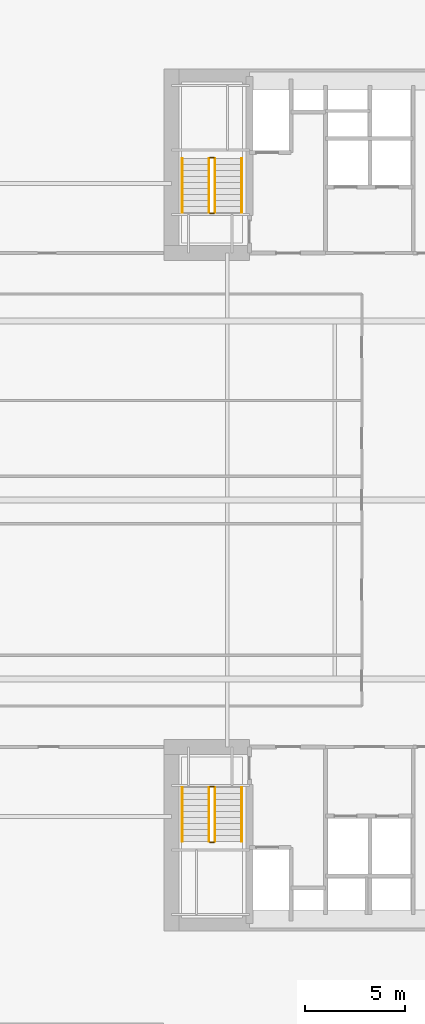
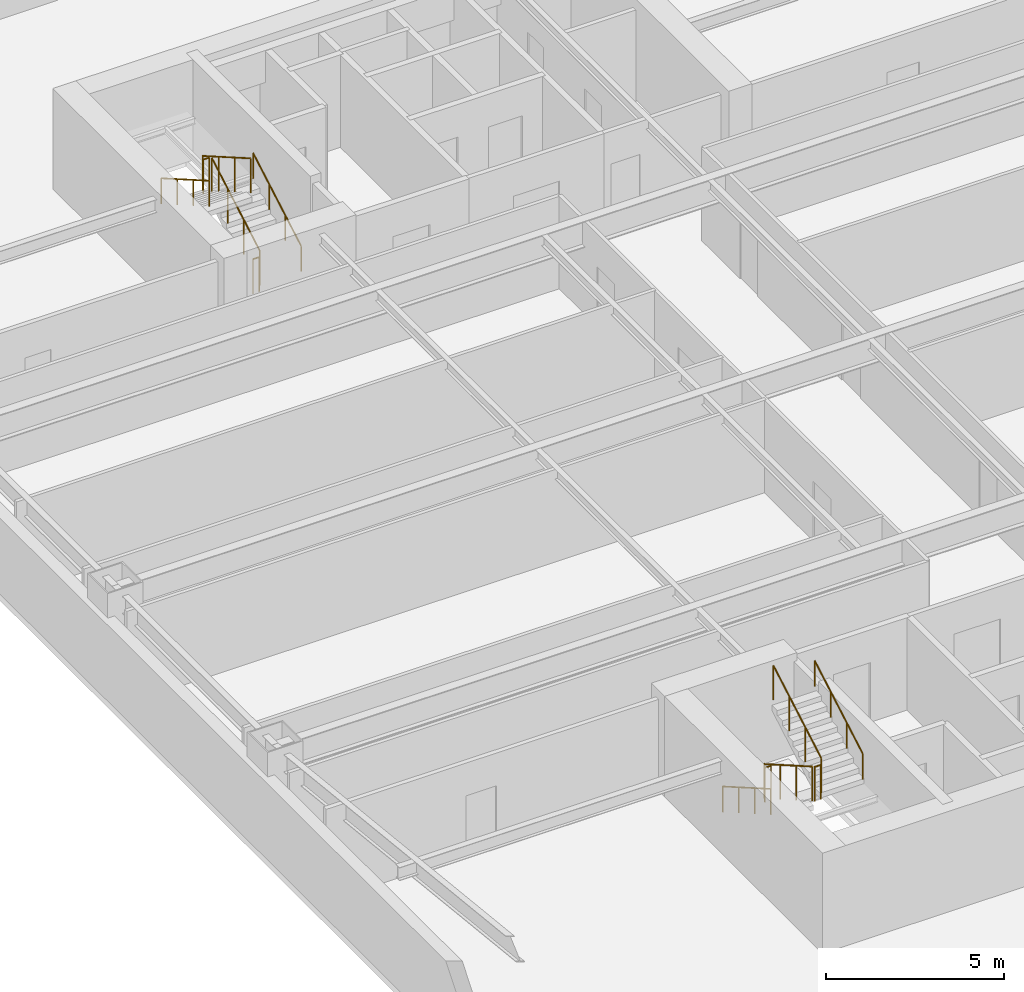
# One storey, part 12 of 13: 12 railings.
"""IFC4 building model written with IfcOpenShell, lengths in metres."""

from ifc_helpers import new_model, si_unit, direction, frame, origin, origin_2d, place, context, subcontext, project, spatial, circle, extrude, material, type_object, element, save


model = new_model("IFC4")

# Units and contexts
model_context = context("Model", 3, precision=1e-05, world=origin(), true_north=direction((0.0, 1.0)))
body_context = subcontext(model_context, "Body", "Model", "MODEL_VIEW")
ifc_project = project(units=[si_unit("LENGTHUNIT", "METRE"), si_unit("AREAUNIT", "SQUARE_METRE"), si_unit("VOLUMEUNIT", "CUBIC_METRE"), si_unit("PLANEANGLEUNIT", "RADIAN"), si_unit("MASSUNIT", "GRAM", prefix="KILO")], contexts=[model_context])

# Site, building, storey
site_placement = place(None, origin())
site = spatial("IfcSite", under=ifc_project, at=site_placement, CompositionType="ELEMENT")
building_placement = place(site_placement, origin())
building = spatial("IfcBuilding", under=site, at=building_placement, Name="Qiaolan Cultural Towers", CompositionType="ELEMENT")
storey_placement = place(building_placement, frame((0.0, 0.0, 85.10009765625)))
storey = spatial("IfcBuildingStorey", under=building, at=storey_placement, Name="L21", CompositionType="ELEMENT", Elevation=85.10009765625)

# Railings
ifc_material_1 = material(Name="Galvanized Painted Steel Stair Guardrail", Category="steel")
railing_type_1 = type_object("IfcRailingType", Name="RL-STAIR-GRD", PredefinedType="GUARDRAIL", material=ifc_material_1)
railing_1_placement = place(storey_placement, frame((23.68994140625, 19.550048828125, 0.17236328125)))
element("IfcRailing", 1, at=railing_1_placement, inside=storey, type_object=railing_type_1, Name="L21 ST-W1 stair guard 1", PredefinedType="GUARDRAIL", context=body_context, shape_type="SweptSolid", body=[
    extrude(circle(Radius=0.02392578125, at=origin_2d()), frame((0.0, 0.0, 1.17578125), z_axis=(0.0, -0.866903762492, 0.498475542607), x_axis=(1.0, 0.0, 0.0)), (0.0, 0.0, 1.0), 3.114501953125),
    extrude(circle(Radius=0.02099609375, at=origin_2d()), origin(), (0.0, 0.0, 1.0), 1.15185546875),
    extrude(circle(Radius=0.02099609375, at=origin_2d()), frame((0.0, -0.89990234375, 0.517578125)), (0.0, 0.0, 1.0), 1.15185546875),
    extrude(circle(Radius=0.02099609375, at=origin_2d()), frame((0.0, -1.800048828125, 1.034912109375)), (0.0, 0.0, 1.0), 1.15185546875),
    extrude(circle(Radius=0.02099609375, at=origin_2d()), frame((0.0, -2.699951171875, 1.552490234375)), (0.0, 0.0, 1.0), 1.15185546875),
])
railing_2_placement = place(storey_placement, frame((23.739990234375, 16.800048828125, 1.724853515625)))
element("IfcRailing", 2, at=railing_2_placement, inside=storey, type_object=railing_type_1, Name="L21 ST-W1 stair guard 2", PredefinedType="GUARDRAIL", context=body_context, shape_type="SweptSolid", body=[
    extrude(circle(Radius=0.02392578125, at=origin_2d()), frame((0.0, 0.0, 1.17578125), z_axis=(1.0, 0.0, 0.0), x_axis=(0.0, 1.0, 0.0)), (0.0, 0.0, 1.0), 0.199951171875),
    extrude(circle(Radius=0.02099609375, at=origin_2d()), origin(), (0.0, 0.0, 1.0), 1.15185546875),
    extrude(circle(Radius=0.02099609375, at=origin_2d()), frame((0.199951171875, 0.0, 0.0)), (0.0, 0.0, 1.0), 1.15185546875),
])
railing_3_placement = place(storey_placement, frame((23.989990234375, 16.85009765625, 1.8974609375)))
element("IfcRailing", 3, at=railing_3_placement, inside=storey, type_object=railing_type_1, Name="L21 ST-W1 stair guard 3", PredefinedType="GUARDRAIL", context=body_context, shape_type="SweptSolid", body=[
    extrude(circle(Radius=0.02392578125, at=origin_2d()), frame((0.0, 0.0, 1.17578125), z_axis=(0.0, 0.866903762492, 0.498475542607), x_axis=(-1.0, 0.0, 0.0)), (0.0, 0.0, 1.0), 3.114501953125),
    extrude(circle(Radius=0.02099609375, at=origin_2d()), origin(), (0.0, 0.0, 1.0), 1.15185546875),
    extrude(circle(Radius=0.02099609375, at=origin_2d()), frame((0.0, 0.89990234375, 0.517578125)), (0.0, 0.0, 1.0), 1.15185546875),
    extrude(circle(Radius=0.02099609375, at=origin_2d()), frame((0.0, 1.800048828125, 1.034912109375)), (0.0, 0.0, 1.0), 1.15185546875),
    extrude(circle(Radius=0.02099609375, at=origin_2d()), frame((0.0, 2.699951171875, 1.552490234375)), (0.0, 0.0, 1.0), 1.15185546875),
])
railing_4_placement = place(storey_placement, frame((23.739990234375, 19.60009765625, 0.0)))
element("IfcRailing", 4, at=railing_4_placement, inside=storey, type_object=railing_type_1, Name="L21 ST-W1 stair guard 4", PredefinedType="GUARDRAIL", context=body_context, shape_type="SweptSolid", body=[
    extrude(circle(Radius=0.02392578125, at=origin_2d()), frame((0.0, 0.0, 1.17578125), z_axis=(1.0, 0.0, 0.0), x_axis=(0.0, 1.0, 0.0)), (0.0, 0.0, 1.0), 0.199951171875),
    extrude(circle(Radius=0.02099609375, at=origin_2d()), origin(), (0.0, 0.0, 1.0), 1.15185546875),
    extrude(circle(Radius=0.02099609375, at=origin_2d()), frame((0.199951171875, 0.0, 0.0)), (0.0, 0.0, 1.0), 1.15185546875),
])
railing_5_placement = place(storey_placement, frame((23.989990234375, 48.449951171875, 0.17236328125)))
element("IfcRailing", 5, at=railing_5_placement, inside=storey, type_object=railing_type_1, Name="L21 ST-W2 stair guard 1", PredefinedType="GUARDRAIL", context=body_context, shape_type="SweptSolid", body=[
    extrude(circle(Radius=0.02392578125, at=origin_2d()), frame((0.0, 0.0, 1.17578125), z_axis=(0.0, 0.866903762492, 0.498475542607), x_axis=(-1.0, 0.0, 0.0)), (0.0, 0.0, 1.0), 3.114501953125),
    extrude(circle(Radius=0.02099609375, at=origin_2d()), origin(), (0.0, 0.0, 1.0), 1.15185546875),
    extrude(circle(Radius=0.02099609375, at=origin_2d()), frame((0.0, 0.89990234375, 0.517578125)), (0.0, 0.0, 1.0), 1.15185546875),
    extrude(circle(Radius=0.02099609375, at=origin_2d()), frame((0.0, 1.800048828125, 1.034912109375)), (0.0, 0.0, 1.0), 1.15185546875),
    extrude(circle(Radius=0.02099609375, at=origin_2d()), frame((0.0, 2.699951171875, 1.552490234375)), (0.0, 0.0, 1.0), 1.15185546875),
])
railing_6_placement = place(storey_placement, frame((23.93994140625, 51.199951171875, 1.724853515625)))
element("IfcRailing", 6, at=railing_6_placement, inside=storey, type_object=railing_type_1, Name="L21 ST-W2 stair guard 2", PredefinedType="GUARDRAIL", context=body_context, shape_type="SweptSolid", body=[
    extrude(circle(Radius=0.02392578125, at=origin_2d()), frame((0.0, 0.0, 1.17578125), z_axis=(-1.0, 0.0, 0.0), x_axis=(0.0, -1.0, 0.0)), (0.0, 0.0, 1.0), 0.199951171875),
    extrude(circle(Radius=0.02099609375, at=origin_2d()), origin(), (0.0, 0.0, 1.0), 1.15185546875),
    extrude(circle(Radius=0.02099609375, at=origin_2d()), frame((-0.199951171875, 0.0, 0.0)), (0.0, 0.0, 1.0), 1.15185546875),
])
railing_7_placement = place(storey_placement, frame((23.68994140625, 51.14990234375, 1.8974609375)))
element("IfcRailing", 7, at=railing_7_placement, inside=storey, type_object=railing_type_1, Name="L21 ST-W2 stair guard 3", PredefinedType="GUARDRAIL", context=body_context, shape_type="SweptSolid", body=[
    extrude(circle(Radius=0.02392578125, at=origin_2d()), frame((0.0, 0.0, 1.17578125), z_axis=(0.0, -0.866903762492, 0.498475542607), x_axis=(1.0, 0.0, 0.0)), (0.0, 0.0, 1.0), 3.114501953125),
    extrude(circle(Radius=0.02099609375, at=origin_2d()), origin(), (0.0, 0.0, 1.0), 1.15185546875),
    extrude(circle(Radius=0.02099609375, at=origin_2d()), frame((0.0, -0.89990234375, 0.517578125)), (0.0, 0.0, 1.0), 1.15185546875),
    extrude(circle(Radius=0.02099609375, at=origin_2d()), frame((0.0, -1.800048828125, 1.034912109375)), (0.0, 0.0, 1.0), 1.15185546875),
    extrude(circle(Radius=0.02099609375, at=origin_2d()), frame((0.0, -2.699951171875, 1.552490234375)), (0.0, 0.0, 1.0), 1.15185546875),
])
railing_8_placement = place(storey_placement, frame((23.93994140625, 48.39990234375, 0.0)))
element("IfcRailing", 8, at=railing_8_placement, inside=storey, type_object=railing_type_1, Name="L21 ST-W2 stair guard 4", PredefinedType="GUARDRAIL", context=body_context, shape_type="SweptSolid", body=[
    extrude(circle(Radius=0.02392578125, at=origin_2d()), frame((0.0, 0.0, 1.17578125), z_axis=(-1.0, 0.0, 0.0), x_axis=(0.0, -1.0, 0.0)), (0.0, 0.0, 1.0), 0.199951171875),
    extrude(circle(Radius=0.02099609375, at=origin_2d()), origin(), (0.0, 0.0, 1.0), 1.15185546875),
    extrude(circle(Radius=0.02099609375, at=origin_2d()), frame((-0.199951171875, 0.0, 0.0)), (0.0, 0.0, 1.0), 1.15185546875),
])
ifc_material_2 = material(Name="Stainless Steel S30408 Tubular Handrail", Category="steel")
railing_type_2 = type_object("IfcRailingType", Name="RL-STAIR-HR", PredefinedType="HANDRAIL", material=ifc_material_2)
railing_9_placement = place(storey_placement, frame((22.35009765625, 19.550048828125, 0.17236328125)))
element("IfcRailing", 9, at=railing_9_placement, inside=storey, type_object=railing_type_2, Name="L21 ST-W1 stair handrail 1", PredefinedType="HANDRAIL", context=body_context, shape_type="SweptSolid", body=[
    extrude(circle(Radius=0.02392578125, at=origin_2d()), frame((0.0, 0.0, 0.8759765625), z_axis=(0.0, -0.866903762492, 0.498475542607), x_axis=(1.0, 0.0, 0.0)), (0.0, 0.0, 1.0), 3.114501953125),
    extrude(circle(Radius=0.02099609375, at=origin_2d()), origin(), (0.0, 0.0, 1.0), 0.851806640625),
    extrude(circle(Radius=0.02099609375, at=origin_2d()), frame((0.0, -0.89990234375, 0.517578125)), (0.0, 0.0, 1.0), 0.851806640625),
    extrude(circle(Radius=0.02099609375, at=origin_2d()), frame((0.0, -1.800048828125, 1.034912109375)), (0.0, 0.0, 1.0), 0.851806640625),
    extrude(circle(Radius=0.02099609375, at=origin_2d()), frame((0.0, -2.699951171875, 1.552490234375)), (0.0, 0.0, 1.0), 0.851806640625),
])
for number, where, name in (
    (10, (25.330078125, 16.85009765625, 1.8974609375), "L21 ST-W1 stair handrail 2"),
    (11, (25.330078125, 48.449951171875, 0.17236328125), "L21 ST-W2 stair handrail 1"),
):
    element("IfcRailing", number, at=place(storey_placement, frame(where)), inside=storey, type_object=railing_type_2, Name=name, PredefinedType="HANDRAIL", context=body_context, shape_type="SweptSolid", body=[
        extrude(circle(Radius=0.02392578125, at=origin_2d()), frame((0.0, 0.0, 0.8759765625), z_axis=(0.0, 0.866903762492, 0.498475542607), x_axis=(-1.0, 0.0, 0.0)), (0.0, 0.0, 1.0), 3.114501953125),
        extrude(circle(Radius=0.02099609375, at=origin_2d()), origin(), (0.0, 0.0, 1.0), 0.851806640625),
        extrude(circle(Radius=0.02099609375, at=origin_2d()), frame((0.0, 0.89990234375, 0.517578125)), (0.0, 0.0, 1.0), 0.851806640625),
        extrude(circle(Radius=0.02099609375, at=origin_2d()), frame((0.0, 1.800048828125, 1.034912109375)), (0.0, 0.0, 1.0), 0.851806640625),
        extrude(circle(Radius=0.02099609375, at=origin_2d()), frame((0.0, 2.699951171875, 1.552490234375)), (0.0, 0.0, 1.0), 0.851806640625),
    ])
railing_10_placement = place(storey_placement, frame((22.35009765625, 51.14990234375, 1.8974609375)))
element("IfcRailing", 12, at=railing_10_placement, inside=storey, type_object=railing_type_2, Name="L21 ST-W2 stair handrail 2", PredefinedType="HANDRAIL", context=body_context, shape_type="SweptSolid", body=[
    extrude(circle(Radius=0.02392578125, at=origin_2d()), frame((0.0, 0.0, 0.8759765625), z_axis=(0.0, -0.866903762492, 0.498475542607), x_axis=(1.0, 0.0, 0.0)), (0.0, 0.0, 1.0), 3.114501953125),
    extrude(circle(Radius=0.02099609375, at=origin_2d()), origin(), (0.0, 0.0, 1.0), 0.851806640625),
    extrude(circle(Radius=0.02099609375, at=origin_2d()), frame((0.0, -0.89990234375, 0.517578125)), (0.0, 0.0, 1.0), 0.851806640625),
    extrude(circle(Radius=0.02099609375, at=origin_2d()), frame((0.0, -1.800048828125, 1.034912109375)), (0.0, 0.0, 1.0), 0.851806640625),
    extrude(circle(Radius=0.02099609375, at=origin_2d()), frame((0.0, -2.699951171875, 1.552490234375)), (0.0, 0.0, 1.0), 0.851806640625),
])

save(model, "model.ifc")
